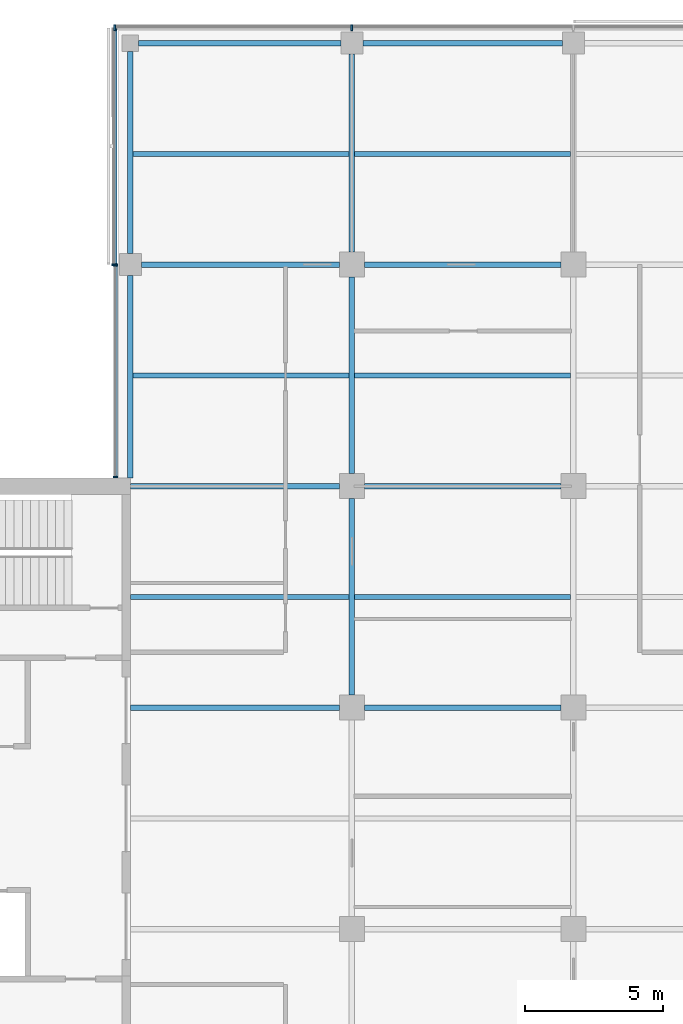
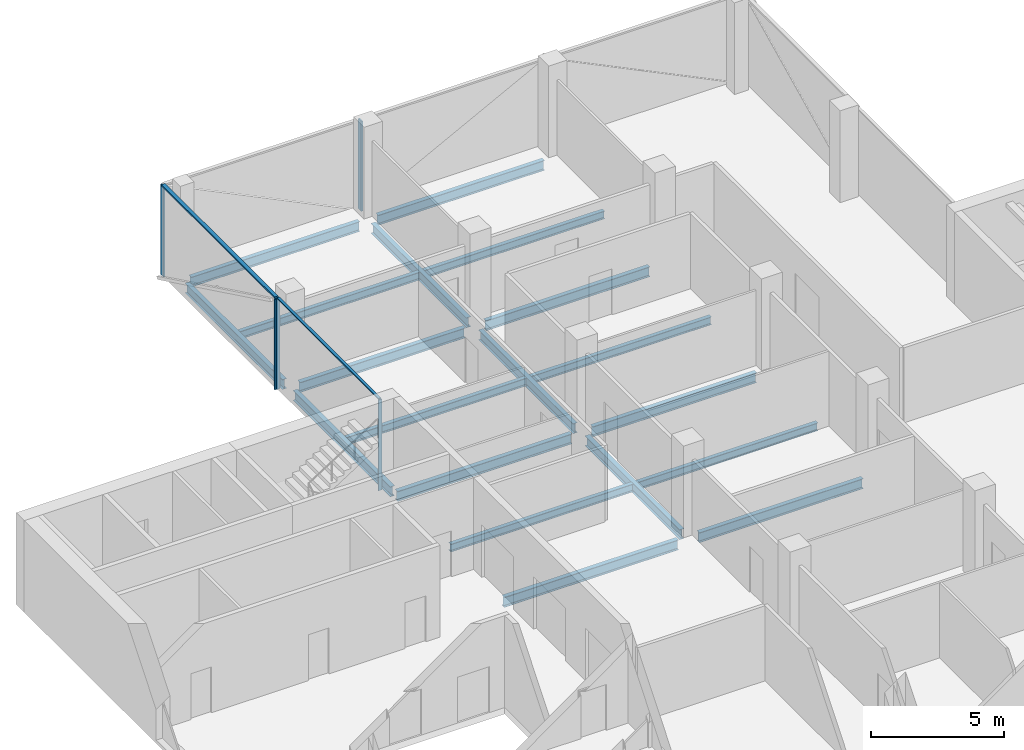
# One storey, part 5 of 15: 19 beams, 7 members, 3 elements without a shape of their own.
"""IFC4 building model written with IfcOpenShell, lengths in metres."""

from ifc_helpers import new_model, si_unit, direction, frame, origin, origin_2d, place, context, subcontext, project, spatial, rectangle, i_section, extrude, material, material_profile, profile_set, type_object, element, aggregate, save


model = new_model("IFC4")

# Units and contexts
model_context = context("Model", 3, precision=1e-05, world=origin(), true_north=direction((0.0, 1.0)))
body_context = subcontext(model_context, "Body", "Model", "MODEL_VIEW")
ifc_project = project(units=[si_unit("LENGTHUNIT", "METRE"), si_unit("AREAUNIT", "SQUARE_METRE"), si_unit("VOLUMEUNIT", "CUBIC_METRE"), si_unit("PLANEANGLEUNIT", "RADIAN"), si_unit("MASSUNIT", "GRAM", prefix="KILO")], contexts=[model_context])

# Site, building, storey
site_placement = place(None, origin())
site = spatial("IfcSite", under=ifc_project, at=site_placement, CompositionType="ELEMENT")
building_placement = place(site_placement, origin())
building = spatial("IfcBuilding", under=site, at=building_placement, Name="Crosswind Convention Tower", CompositionType="ELEMENT")
storey_placement = place(building_placement, frame((0.0, 0.0, 187.300048828125)))
storey = spatial("IfcBuildingStorey", under=building, at=storey_placement, Name="L39", CompositionType="ELEMENT", Elevation=187.300048828125)

# Beams
ifc_material_1 = material(Name="Steel S355", Category="steel")
ifc_material_profile_1 = material_profile(ifc_material_1, i_section(OverallWidth=0.18994140625, OverallDepth=0.45361328125, WebThickness=0.008544921875, FlangeThickness=0.0126953125, FilletRadius=0.01025390625, at=origin_2d()), Name="UB 457x191x67")
ifc_profile_set_1 = profile_set([ifc_material_profile_1], Name="Steel S355")
beam_type_1 = type_object("IfcBeamType", Name="Edge beam UB 457x191x67", PredefinedType="SPANDREL", material=ifc_profile_set_1)
for number, where, z_axis, x_axis, name in (
    (1, (113.0, 112.300048828125, -0.52685546875), (0.0, 1.0, 0.0), (-1.0, 0.0, 0.0), "B16 L39 edge beam 3"),
    (2, (113.0, 120.39990234375, -0.52685546875), (0.0, 1.0, 0.0), (-1.0, 0.0, 0.0), "B16 L39 edge beam 4"),
    (3, (113.300048828125, 128.0, -0.52685546875), (1.0, 0.0, 0.0), (0.0, 1.0, 0.0), "B16 L39 edge beam 6"),
):
    element("IfcBeam", number, at=place(storey_placement, frame(where, z_axis=z_axis, x_axis=x_axis)), inside=storey, type_object=beam_type_1, Name=name, PredefinedType="SPANDREL", context=body_context, shape_type="SweptSolid", body=[
        extrude(i_section(OverallWidth=0.18994140625, OverallDepth=0.45361328125, WebThickness=0.008544921875, FlangeThickness=0.0126953125, FilletRadius=0.01025390625, at=origin_2d()), origin(), (0.0, 0.0, 1.0), 7.300048828125),
    ])
beam_1_placement = place(storey_placement, frame((121.39990234375, 128.0, -0.52685546875), z_axis=(1.0, 0.0, 0.0), x_axis=(0.0, 1.0, 0.0)))
element("IfcBeam", 4, at=beam_1_placement, inside=storey, type_object=beam_type_1, Name="B16 L39 edge beam 8", PredefinedType="SPANDREL", context=body_context, shape_type="SweptSolid", body=[
    extrude(i_section(OverallWidth=0.18994140625, OverallDepth=0.45361328125, WebThickness=0.008544921875, FlangeThickness=0.0126953125, FilletRadius=0.01025390625, at=origin_2d()), origin(), (0.0, 0.0, 1.0), 7.2001953125),
])
ifc_material_profile_2 = material_profile(ifc_material_1, i_section(OverallWidth=0.1904296875, OverallDepth=0.457275390625, WebThickness=0.009033203125, FlangeThickness=0.014404296875, FilletRadius=0.01025390625, at=origin_2d()), Name="UB 457x191x75")
ifc_profile_set_2 = profile_set([ifc_material_profile_2], Name="Steel S355")
beam_type_2 = type_object("IfcBeamType", Name="Girder UB 457x191x75", PredefinedType="BEAM", material=ifc_profile_set_2)
beam_2_placement = place(storey_placement, frame((113.39990234375, 120.0, -0.528564453125), z_axis=(1.0, 0.0, 0.0), x_axis=(0.0, 1.0, 0.0)))
element("IfcBeam", 5, at=beam_2_placement, inside=storey, type_object=beam_type_2, Name="B2 L39 girder 2", PredefinedType="BEAM", context=body_context, shape_type="SweptSolid", body=[
    extrude(i_section(OverallWidth=0.1904296875, OverallDepth=0.457275390625, WebThickness=0.009033203125, FlangeThickness=0.014404296875, FilletRadius=0.01025390625, at=origin_2d()), origin(), (0.0, 0.0, 1.0), 7.150146484375),
])
for number, where, z_axis, x_axis, name in (
    (6, (121.0, 104.449951171875, -0.528564453125), (0.0, 1.0, 0.0), (-1.0, 0.0, 0.0), "B2 L39 girder 7"),
    (7, (121.0, 112.449951171875, -0.528564453125), (0.0, 1.0, 0.0), (-1.0, 0.0, 0.0), "B2 L39 girder 8"),
):
    element("IfcBeam", number, at=place(storey_placement, frame(where, z_axis=z_axis, x_axis=x_axis)), inside=storey, type_object=beam_type_2, Name=name, PredefinedType="BEAM", context=body_context, shape_type="SweptSolid", body=[
        extrude(i_section(OverallWidth=0.1904296875, OverallDepth=0.457275390625, WebThickness=0.009033203125, FlangeThickness=0.014404296875, FilletRadius=0.01025390625, at=origin_2d()), origin(), (0.0, 0.0, 1.0), 7.10009765625),
    ])
beam_3_placement = place(storey_placement, frame((121.0, 120.449951171875, -0.528564453125), z_axis=(0.0, 1.0, 0.0), x_axis=(-1.0, 0.0, 0.0)))
element("IfcBeam", 8, at=beam_3_placement, inside=storey, type_object=beam_type_2, Name="B2 L39 girder 9", PredefinedType="BEAM", context=body_context, shape_type="SweptSolid", body=[
    extrude(i_section(OverallWidth=0.1904296875, OverallDepth=0.457275390625, WebThickness=0.009033203125, FlangeThickness=0.014404296875, FilletRadius=0.01025390625, at=origin_2d()), origin(), (0.0, 0.0, 1.0), 7.150146484375),
])
for number, where, z_axis, x_axis, name in (
    (9, (121.449951171875, 104.0, -0.528564453125), (1.0, 0.0, 0.0), (0.0, 1.0, 0.0), "B2 L39 girder 13"),
    (10, (121.449951171875, 112.0, -0.528564453125), (1.0, 0.0, 0.0), (0.0, 1.0, 0.0), "B2 L39 girder 14"),
    (11, (121.449951171875, 120.0, -0.528564453125), (1.0, 0.0, 0.0), (0.0, 1.0, 0.0), "B2 L39 girder 15"),
):
    element("IfcBeam", number, at=place(storey_placement, frame(where, z_axis=z_axis, x_axis=x_axis)), inside=storey, type_object=beam_type_2, Name=name, PredefinedType="BEAM", context=body_context, shape_type="SweptSolid", body=[
        extrude(i_section(OverallWidth=0.1904296875, OverallDepth=0.457275390625, WebThickness=0.009033203125, FlangeThickness=0.014404296875, FilletRadius=0.01025390625, at=origin_2d()), origin(), (0.0, 0.0, 1.0), 7.10009765625),
    ])
ifc_material_profile_3 = material_profile(ifc_material_1, i_section(OverallWidth=0.19140625, OverallDepth=0.460205078125, WebThickness=0.010009765625, FlangeThickness=0.01611328125, FilletRadius=0.01025390625, at=origin_2d()), Name="UB 457x191x82")
ifc_profile_set_3 = profile_set([ifc_material_profile_3], Name="Steel S355")
beam_type_3 = type_object("IfcBeamType", Name="Girder at core wall UB 457x191x82", PredefinedType="BEAM", material=ifc_profile_set_3)
for number, where, z_axis, x_axis, name in (
    (12, (113.0, 104.0, -0.530029296875), (1.0, 0.0, 0.0), (0.0, 1.0, 0.0), "B23 L39 girder at core wall 3"),
    (13, (113.0, 112.0, -0.530029296875), (1.0, 0.0, 0.0), (0.0, 1.0, 0.0), "B23 L39 girder at core wall 4"),
):
    element("IfcBeam", number, at=place(storey_placement, frame(where, z_axis=z_axis, x_axis=x_axis)), inside=storey, type_object=beam_type_3, Name=name, PredefinedType="BEAM", context=body_context, shape_type="SweptSolid", body=[
        extrude(i_section(OverallWidth=0.19140625, OverallDepth=0.460205078125, WebThickness=0.010009765625, FlangeThickness=0.01611328125, FilletRadius=0.01025390625, at=origin_2d()), origin(), (0.0, 0.0, 1.0), 7.550048828125),
    ])

# Curtain wall, members
ifc_material_2 = material(Name="Aluminium unitised curtain wall", Category="aluminium")
curtain_wall_type_1 = type_object("IfcCurtainWallType", Name="CORE END SLOT WALL 160", PredefinedType="USERDEFINED", material=ifc_material_2)
curtain_wall_1_placement = place(storey_placement, origin())
curtain_wall_1 = element("IfcCurtainWall", 14, at=curtain_wall_1_placement, inside=storey, type_object=curtain_wall_type_1, Name="CW6 L39 N-W.1-2 slot", ObjectType="UNITISED", PredefinedType="USERDEFINED")
ifc_material_3 = material(Name="Aluminium mullion", Category="aluminium")
ifc_material_profile_4 = material_profile(ifc_material_3, rectangle(XDim=0.159912109375, YDim=0.050048828125, at=origin_2d()), Name="AL 160X50")
ifc_profile_set_4 = profile_set([ifc_material_profile_4], Name="Aluminium mullion")
member_type_1 = type_object("IfcMemberType", Name="MULLION 50X160", PredefinedType="MULLION", material=ifc_profile_set_4)
member_1_placement = place(storey_placement, frame((112.469970703125, 119.97509765625, -0.300048828125), z_axis=(0.0, 0.0, 1.0), x_axis=(-1.0, 0.0, 0.0)))
member_1 = element("IfcMember", 15, at=member_1_placement, type_object=member_type_1, Name="CW6 mullion 1", PredefinedType="MULLION", context=body_context, shape_type="SweptSolid", body=[
    extrude(rectangle(XDim=0.159912109375, YDim=0.050048828125, at=origin_2d()), origin(), (0.0, 0.0, 1.0), 4.14990234375),
])
member_2_placement = place(storey_placement, frame((112.469970703125, 112.324951171875, -0.300048828125), z_axis=(0.0, 0.0, 1.0), x_axis=(-1.0, 0.0, 0.0)))
member_2 = element("IfcMember", 16, at=member_2_placement, type_object=member_type_1, Name="CW6 mullion 2", PredefinedType="MULLION", context=body_context, shape_type="SweptSolid", body=[
    extrude(rectangle(XDim=0.159912109375, YDim=0.050048828125, at=origin_2d()), origin(), (0.0, 0.0, 1.0), 4.14990234375),
])

curtain_wall_type_2 = type_object("IfcCurtainWallType", Name="OFFICE UNITISED WALL 220", PredefinedType="USERDEFINED", material=ifc_material_2)
curtain_wall_2_placement = place(storey_placement, origin())
curtain_wall_2 = element("IfcCurtainWall", 17, at=curtain_wall_2_placement, inside=storey, type_object=curtain_wall_type_2, Name="CW3 L39 N-TIP 1", ObjectType="UNITISED", PredefinedType="USERDEFINED")
ifc_material_profile_5 = material_profile(ifc_material_3, rectangle(XDim=0.219970703125, YDim=0.070068359375, at=origin_2d()), Name="AL 220X70")
ifc_profile_set_5 = profile_set([ifc_material_profile_5], Name="Aluminium mullion")
member_type_2 = type_object("IfcMemberType", Name="MULLION 70X220", PredefinedType="MULLION", material=ifc_profile_set_5)
member_3_placement = place(storey_placement, frame((121.0, 128.56005859375, -0.300048828125), z_axis=(0.0, 0.0, 1.0), x_axis=(0.0, 1.0, 0.0)))
member_3 = element("IfcMember", 18, at=member_3_placement, type_object=member_type_2, Name="CW3 mullion 3", PredefinedType="MULLION", context=body_context, shape_type="SweptSolid", body=[
    extrude(rectangle(XDim=0.219970703125, YDim=0.070068359375, at=origin_2d()), origin(), (0.0, 0.0, 1.0), 4.1298828125),
])
member_4_placement = place(storey_placement, frame((112.43994140625, 128.56005859375, -0.300048828125), z_axis=(0.0, 0.0, 1.0), x_axis=(0.0, 1.0, 0.0)))
member_4 = element("IfcMember", 19, at=member_4_placement, type_object=member_type_2, Name="CW3 mullion 4", PredefinedType="MULLION", context=body_context, shape_type="SweptSolid", body=[
    extrude(rectangle(XDim=0.219970703125, YDim=0.070068359375, at=origin_2d()), origin(), (0.0, 0.0, 1.0), 4.1298828125),
])
aggregate(curtain_wall_2, [member_3, member_4])

# Curtain wall, member
curtain_wall_3_placement = place(storey_placement, origin())
curtain_wall_3 = element("IfcCurtainWall", 20, at=curtain_wall_3_placement, inside=storey, type_object=curtain_wall_type_2, Name="CW3 L39 N-W 1", ObjectType="UNITISED", PredefinedType="USERDEFINED")
member_5_placement = place(storey_placement, frame((112.43994140625, 120.0, -0.300048828125), z_axis=(0.0, 0.0, 1.0), x_axis=(-1.0, 0.0, 0.0)))
member_5 = element("IfcMember", 21, at=member_5_placement, type_object=member_type_2, Name="CW3 mullion 2", PredefinedType="MULLION", context=body_context, shape_type="SweptSolid", body=[
    extrude(rectangle(XDim=0.219970703125, YDim=0.070068359375, at=origin_2d()), origin(), (0.0, 0.0, 1.0), 4.1298828125),
])

# Beams
ifc_material_profile_6 = material_profile(ifc_material_1, i_section(OverallWidth=0.172119140625, OverallDepth=0.358642578125, WebThickness=0.008056640625, FlangeThickness=0.012939453125, FilletRadius=0.01025390625, at=origin_2d()), Name="UB 356x171x57")
ifc_profile_set_6 = profile_set([ifc_material_profile_6], Name="Steel S355")
beam_type_4 = type_object("IfcBeamType", Name="Secondary beam UB 356x171x57", PredefinedType="JOIST", material=ifc_profile_set_6)
beam_4_placement = place(storey_placement, frame((113.0, 108.0, -0.479248046875), z_axis=(1.0, 0.0, 0.0), x_axis=(0.0, 1.0, 0.0)))
element("IfcBeam", 22, at=beam_4_placement, inside=storey, type_object=beam_type_4, Name="B9 L39 secondary beam 3", PredefinedType="JOIST", context=body_context, shape_type="SweptSolid", body=[
    extrude(i_section(OverallWidth=0.172119140625, OverallDepth=0.358642578125, WebThickness=0.008056640625, FlangeThickness=0.012939453125, FilletRadius=0.01025390625, at=origin_2d()), origin(), (0.0, 0.0, 1.0), 7.90478515625),
])
for number, where, z_axis, x_axis, name in (
    (23, (113.094970703125, 116.0, -0.479248046875), (1.0, 0.0, 0.0), (0.0, 1.0, 0.0), "B9 L39 secondary beam 6"),
    (24, (113.094970703125, 124.0, -0.479248046875), (1.0, 0.0, 0.0), (0.0, 1.0, 0.0), "B9 L39 secondary beam 7"),
):
    element("IfcBeam", number, at=place(storey_placement, frame(where, z_axis=z_axis, x_axis=x_axis)), inside=storey, type_object=beam_type_4, Name=name, PredefinedType="JOIST", context=body_context, shape_type="SweptSolid", body=[
        extrude(i_section(OverallWidth=0.172119140625, OverallDepth=0.358642578125, WebThickness=0.008056640625, FlangeThickness=0.012939453125, FilletRadius=0.01025390625, at=origin_2d()), origin(), (0.0, 0.0, 1.0), 7.809814453125),
    ])
for number, where, z_axis, x_axis, name in (
    (25, (121.09521484375, 108.0, -0.479248046875), (1.0, 0.0, 0.0), (0.0, 1.0, 0.0), "B9 L39 secondary beam 12"),
    (26, (121.09521484375, 116.0, -0.479248046875), (1.0, 0.0, 0.0), (0.0, 1.0, 0.0), "B9 L39 secondary beam 13"),
    (27, (121.09521484375, 124.0, -0.479248046875), (1.0, 0.0, 0.0), (0.0, 1.0, 0.0), "B9 L39 secondary beam 14"),
):
    element("IfcBeam", number, at=place(storey_placement, frame(where, z_axis=z_axis, x_axis=x_axis)), inside=storey, type_object=beam_type_4, Name=name, PredefinedType="JOIST", context=body_context, shape_type="SweptSolid", body=[
        extrude(i_section(OverallWidth=0.172119140625, OverallDepth=0.358642578125, WebThickness=0.008056640625, FlangeThickness=0.012939453125, FilletRadius=0.01025390625, at=origin_2d()), origin(), (0.0, 0.0, 1.0), 7.8095703125),
    ])

# Member
ifc_material_4 = material(Name="Aluminium transom", Category="aluminium")
ifc_material_profile_7 = material_profile(ifc_material_4, rectangle(XDim=0.1201171875, YDim=0.050048828125, at=origin_2d()), Name="AL 120X50")
ifc_profile_set_7 = profile_set([ifc_material_profile_7], Name="Aluminium transom")
member_type_3 = type_object("IfcMemberType", Name="TRANSOM 50X120", PredefinedType="USERDEFINED", material=ifc_profile_set_7)
member_6_placement = place(storey_placement, frame((112.469970703125, 119.949951171875, 3.875), z_axis=(0.0, -1.0, 0.0), x_axis=(1.0, 0.0, 0.0)))
member_6 = element("IfcMember", 28, at=member_6_placement, type_object=member_type_3, Name="CW6 transom", ObjectType="TRANSOM", PredefinedType="USERDEFINED", context=body_context, shape_type="SweptSolid", body=[
    extrude(rectangle(XDim=0.1201171875, YDim=0.050048828125, at=origin_2d()), origin(), (0.0, 0.0, 1.0), 7.599853515625),
])

aggregate(curtain_wall_1, [member_1, member_2, member_6])

ifc_material_profile_8 = material_profile(ifc_material_4, rectangle(XDim=0.159912109375, YDim=0.070068359375, at=origin_2d()), Name="AL 160X70")
ifc_profile_set_8 = profile_set([ifc_material_profile_8], Name="Aluminium transom")
member_type_4 = type_object("IfcMemberType", Name="TRANSOM 70X160", PredefinedType="USERDEFINED", material=ifc_profile_set_8)
member_7_placement = place(storey_placement, frame((112.43994140625, 128.52490234375, 3.864990234375), z_axis=(0.0, -1.0, 0.0), x_axis=(1.0, 0.0, 0.0)))
member_7 = element("IfcMember", 29, at=member_7_placement, type_object=member_type_4, Name="CW3 transom", ObjectType="TRANSOM", PredefinedType="USERDEFINED", context=body_context, shape_type="SweptSolid", body=[
    extrude(rectangle(XDim=0.159912109375, YDim=0.070068359375, at=origin_2d()), origin(), (0.0, 0.0, 1.0), 8.489990234375),
])

aggregate(curtain_wall_3, [member_5, member_7])

save(model, "model.ifc")
